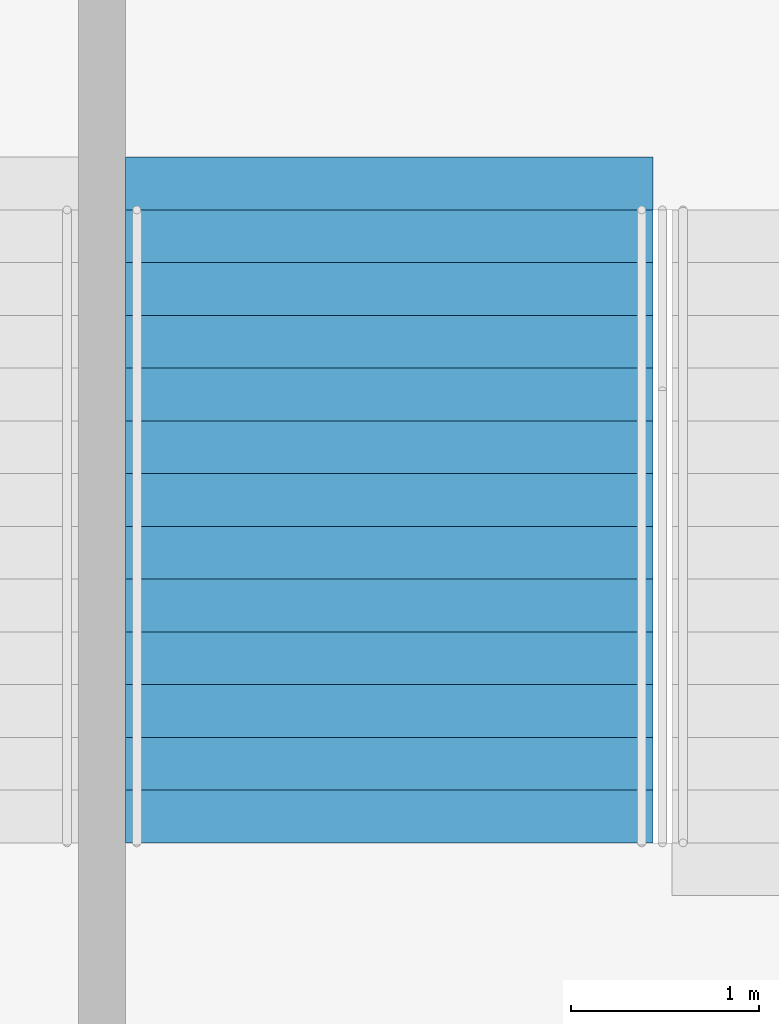
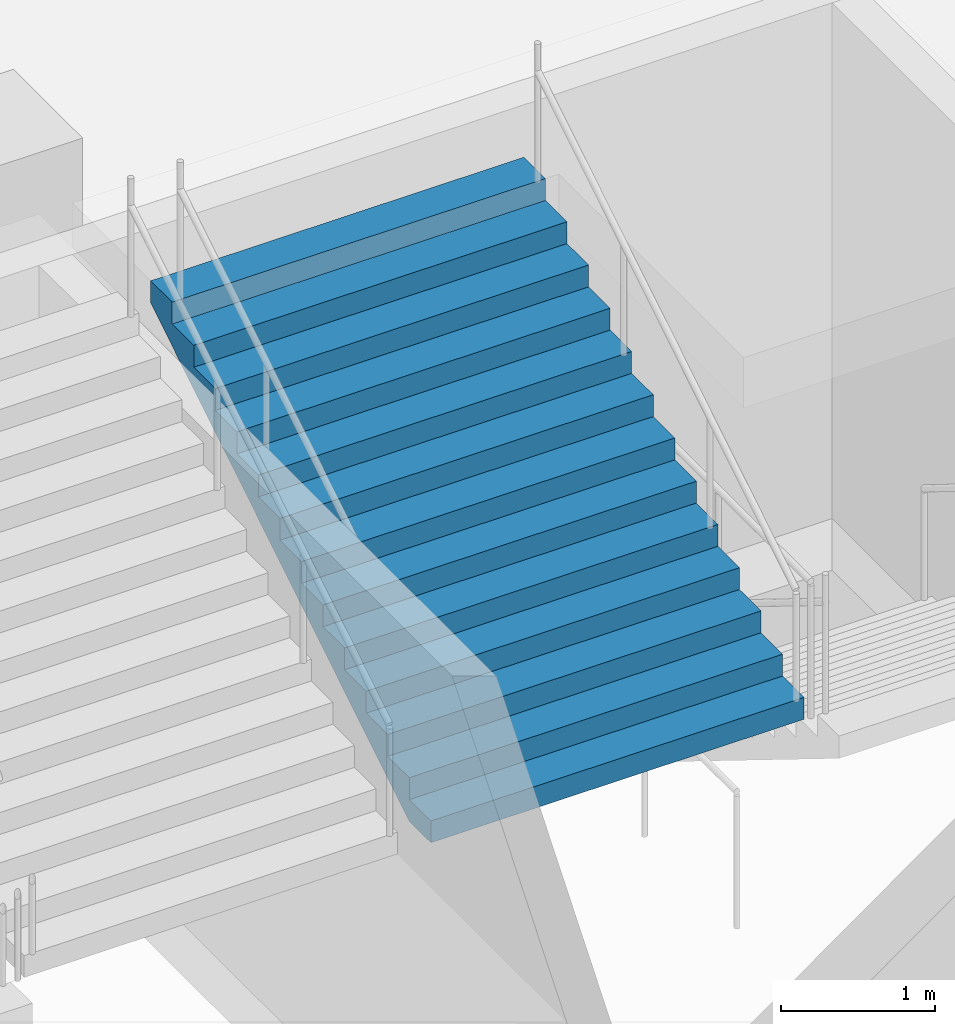
# One storey, part 118 of 199: 1 stair flight, 1 element without a shape of its own.
"""IFC4 building model written with IfcOpenShell, lengths in metres."""

from ifc_helpers import new_model, si_unit, direction, frame, origin, place, context, subcontext, project, spatial, faceted_brep, material, type_object, element, aggregate, save


model = new_model("IFC4")

# Units and contexts
model_context = context("Model", 3, precision=1e-05, world=origin(), true_north=direction((0.0, 1.0)))
body_context = subcontext(model_context, "Body", "Model", "MODEL_VIEW")
ifc_project = project(units=[si_unit("LENGTHUNIT", "METRE"), si_unit("AREAUNIT", "SQUARE_METRE"), si_unit("VOLUMEUNIT", "CUBIC_METRE"), si_unit("PLANEANGLEUNIT", "RADIAN"), si_unit("MASSUNIT", "GRAM", prefix="KILO")], contexts=[model_context])

# Site, building, storey
site_placement = place(None, origin())
site = spatial("IfcSite", under=ifc_project, at=site_placement, CompositionType="ELEMENT")
building_placement = place(site_placement, origin())
building = spatial("IfcBuilding", under=site, at=building_placement, Name="Ogive Plaza Stadium", CompositionType="ELEMENT")
storey_placement = place(building_placement, frame((0.0, 0.0, 4.5)))
storey = spatial("IfcBuildingStorey", under=building, at=storey_placement, Name="L01", CompositionType="ELEMENT", Elevation=4.5)

# Stair, stair flight
ifc_material_1 = material(Name="Concrete C40/50", Category="concrete")
stair_type = type_object("IfcStairType", Name="Exit stair", PredefinedType="STRAIGHT_RUN_STAIR", material=ifc_material_1)
stair_placement = place(storey_placement, origin())
stair = element("IfcStair", 1, at=stair_placement, inside=storey, type_object=stair_type, Name="Exit stair ST16B L01 to L02", PredefinedType="STRAIGHT_RUN_STAIR")
ifc_material_2 = material(Name="Concrete C40/50", Category="concrete")
stair_flight_type = type_object("IfcStairFlightType", Name="Exit stair flight", PredefinedType="STRAIGHT", material=ifc_material_2)
stair_flight_placement = place(storey_placement, frame((-18.875, -98.2099609375, 2.25), z_axis=(0.0, 0.0, 1.0), x_axis=(0.0, 1.0, 0.0)))
stair_flight = element("IfcStairFlight", 2, at=stair_flight_placement, type_object=stair_flight_type, Name="ST16B flight 2", NumberOfRisers=13, NumberOfTreads=12, PredefinedType="STRAIGHT", RiserHeight=0.173076923, TreadLength=0.28, context=body_context, shape_type="Brep", body=[
    faceted_brep([(0.28515625, -1.39990234375, 0.0), (3.639892578125, -1.39990234375, 2.07373046875), (3.639892578125, -1.39990234375, 2.25), (3.360107421875, -1.39990234375, 2.25), (3.360107421875, -1.39990234375, 2.076904296875), (3.080078125, -1.39990234375, 2.076904296875), (3.080078125, -1.39990234375, 1.90380859375), (2.800048828125, -1.39990234375, 1.90380859375), (2.800048828125, -1.39990234375, 1.730712890625), (2.52001953125, -1.39990234375, 1.730712890625), (2.52001953125, -1.39990234375, 1.5576171875), (2.239990234375, -1.39990234375, 1.5576171875), (2.239990234375, -1.39990234375, 1.384521484375), (1.9599609375, -1.39990234375, 1.384521484375), (1.9599609375, -1.39990234375, 1.21142578125), (1.679931640625, -1.39990234375, 1.21142578125), (1.679931640625, -1.39990234375, 1.03857421875), (1.39990234375, -1.39990234375, 1.03857421875), (1.39990234375, -1.39990234375, 0.865478515625), (1.1201171875, -1.39990234375, 0.865478515625), (1.1201171875, -1.39990234375, 0.6923828125), (0.840087890625, -1.39990234375, 0.6923828125), (0.840087890625, -1.39990234375, 0.519287109375), (0.56005859375, -1.39990234375, 0.519287109375), (0.56005859375, -1.39990234375, 0.34619140625), (0.280029296875, -1.39990234375, 0.34619140625), (0.280029296875, -1.39990234375, 0.173095703125), (0.0, -1.39990234375, 0.173095703125), (0.0, -1.39990234375, 0.0), (0.0, 1.39990234375, 0.0), (0.0, 1.39990234375, 0.173095703125), (0.280029296875, 1.39990234375, 0.173095703125), (0.280029296875, 1.39990234375, 0.34619140625), (0.56005859375, 1.39990234375, 0.34619140625), (0.56005859375, 1.39990234375, 0.519287109375), (0.840087890625, 1.39990234375, 0.519287109375), (0.840087890625, 1.39990234375, 0.6923828125), (1.1201171875, 1.39990234375, 0.6923828125), (1.1201171875, 1.39990234375, 0.865478515625), (1.39990234375, 1.39990234375, 0.865478515625), (1.39990234375, 1.39990234375, 1.03857421875), (1.679931640625, 1.39990234375, 1.03857421875), (1.679931640625, 1.39990234375, 1.21142578125), (1.9599609375, 1.39990234375, 1.21142578125), (1.9599609375, 1.39990234375, 1.384521484375), (2.239990234375, 1.39990234375, 1.384521484375), (2.239990234375, 1.39990234375, 1.5576171875), (2.52001953125, 1.39990234375, 1.5576171875), (2.52001953125, 1.39990234375, 1.730712890625), (2.800048828125, 1.39990234375, 1.730712890625), (2.800048828125, 1.39990234375, 1.90380859375), (3.080078125, 1.39990234375, 1.90380859375), (3.080078125, 1.39990234375, 2.076904296875), (3.360107421875, 1.39990234375, 2.076904296875), (3.360107421875, 1.39990234375, 2.25), (3.639892578125, 1.39990234375, 2.25), (3.639892578125, 1.39990234375, 2.07373046875), (0.28515625, 1.39990234375, 0.0), (0.28515625, -1.0888671875, 0.0), (3.639892578125, -1.0888671875, 2.07373046875), (0.28515625, -0.77783203125, 0.0), (3.639892578125, -0.77783203125, 2.07373046875), (0.28515625, -0.466796875, 0.0), (3.639892578125, -0.466796875, 2.07373046875), (0.28515625, -0.155517578125, 0.0), (3.639892578125, -0.155517578125, 2.07373046875), (0.28515625, 0.155517578125, 0.0), (3.639892578125, 0.155517578125, 2.07373046875), (0.28515625, 0.466796875, 0.0), (3.639892578125, 0.466796875, 2.07373046875), (0.28515625, 0.77783203125, 0.0), (3.639892578125, 0.77783203125, 2.07373046875), (0.28515625, 1.0888671875, 0.0), (3.639892578125, 1.0888671875, 2.07373046875), (3.639892578125, -1.0888671875, 2.25), (3.639892578125, -0.77783203125, 2.25), (3.639892578125, -0.466796875, 2.25), (3.639892578125, -0.155517578125, 2.25), (3.639892578125, 0.155517578125, 2.25), (3.639892578125, 0.466796875, 2.25), (3.639892578125, 0.77783203125, 2.25), (3.639892578125, 1.0888671875, 2.25), (3.360107421875, -1.0888671875, 2.25), (3.360107421875, -0.77783203125, 2.25), (3.360107421875, -0.466796875, 2.25), (3.360107421875, -0.155517578125, 2.25), (3.360107421875, 0.155517578125, 2.25), (3.360107421875, 0.466796875, 2.25), (3.360107421875, 0.77783203125, 2.25), (3.360107421875, 1.0888671875, 2.25), (3.360107421875, -1.0888671875, 2.076904296875), (3.360107421875, -0.77783203125, 2.076904296875), (3.360107421875, -0.466796875, 2.076904296875), (3.360107421875, -0.155517578125, 2.076904296875), (3.360107421875, 0.155517578125, 2.076904296875), (3.360107421875, 0.466796875, 2.076904296875), (3.360107421875, 0.77783203125, 2.076904296875), (3.360107421875, 1.0888671875, 2.076904296875), (3.080078125, -1.0888671875, 2.076904296875), (3.080078125, -0.77783203125, 2.076904296875), (3.080078125, -0.466796875, 2.076904296875), (3.080078125, -0.155517578125, 2.076904296875), (3.080078125, 0.155517578125, 2.076904296875), (3.080078125, 0.466796875, 2.076904296875), (3.080078125, 0.77783203125, 2.076904296875), (3.080078125, 1.0888671875, 2.076904296875), (3.080078125, -1.0888671875, 1.90380859375), (3.080078125, -0.77783203125, 1.90380859375), (3.080078125, -0.466796875, 1.90380859375), (3.080078125, -0.155517578125, 1.90380859375), (3.080078125, 0.155517578125, 1.90380859375), (3.080078125, 0.466796875, 1.90380859375), (3.080078125, 0.77783203125, 1.90380859375), (3.080078125, 1.0888671875, 1.90380859375), (2.800048828125, -1.0888671875, 1.90380859375), (2.800048828125, -0.77783203125, 1.90380859375), (2.800048828125, -0.466796875, 1.90380859375), (2.800048828125, -0.155517578125, 1.90380859375), (2.800048828125, 0.155517578125, 1.90380859375), (2.800048828125, 0.466796875, 1.90380859375), (2.800048828125, 0.77783203125, 1.90380859375), (2.800048828125, 1.0888671875, 1.90380859375), (2.800048828125, -1.0888671875, 1.730712890625), (2.800048828125, -0.77783203125, 1.730712890625), (2.800048828125, -0.466796875, 1.730712890625), (2.800048828125, -0.155517578125, 1.730712890625), (2.800048828125, 0.155517578125, 1.730712890625), (2.800048828125, 0.466796875, 1.730712890625), (2.800048828125, 0.77783203125, 1.730712890625), (2.800048828125, 1.0888671875, 1.730712890625), (2.52001953125, -1.0888671875, 1.730712890625), (2.52001953125, -0.77783203125, 1.730712890625), (2.52001953125, -0.466796875, 1.730712890625), (2.52001953125, -0.155517578125, 1.730712890625), (2.52001953125, 0.155517578125, 1.730712890625), (2.52001953125, 0.466796875, 1.730712890625), (2.52001953125, 0.77783203125, 1.730712890625), (2.52001953125, 1.0888671875, 1.730712890625), (2.52001953125, -1.0888671875, 1.5576171875), (2.52001953125, -0.77783203125, 1.5576171875), (2.52001953125, -0.466796875, 1.5576171875), (2.52001953125, -0.155517578125, 1.5576171875), (2.52001953125, 0.155517578125, 1.5576171875), (2.52001953125, 0.466796875, 1.5576171875), (2.52001953125, 0.77783203125, 1.5576171875), (2.52001953125, 1.0888671875, 1.5576171875), (2.239990234375, -1.0888671875, 1.5576171875), (2.239990234375, -0.77783203125, 1.5576171875), (2.239990234375, -0.466796875, 1.5576171875), (2.239990234375, -0.155517578125, 1.5576171875), (2.239990234375, 0.155517578125, 1.5576171875), (2.239990234375, 0.466796875, 1.5576171875), (2.239990234375, 0.77783203125, 1.5576171875), (2.239990234375, 1.0888671875, 1.5576171875), (2.239990234375, -1.0888671875, 1.384521484375), (2.239990234375, -0.77783203125, 1.384521484375), (2.239990234375, -0.466796875, 1.384521484375), (2.239990234375, -0.155517578125, 1.384521484375), (2.239990234375, 0.155517578125, 1.384521484375), (2.239990234375, 0.466796875, 1.384521484375), (2.239990234375, 0.77783203125, 1.384521484375), (2.239990234375, 1.0888671875, 1.384521484375), (1.9599609375, -1.0888671875, 1.384521484375), (1.9599609375, -0.77783203125, 1.384521484375), (1.9599609375, -0.466796875, 1.384521484375), (1.9599609375, -0.155517578125, 1.384521484375), (1.9599609375, 0.155517578125, 1.384521484375), (1.9599609375, 0.466796875, 1.384521484375), (1.9599609375, 0.77783203125, 1.384521484375), (1.9599609375, 1.0888671875, 1.384521484375), (1.9599609375, -1.0888671875, 1.21142578125), (1.9599609375, -0.77783203125, 1.21142578125), (1.9599609375, -0.466796875, 1.21142578125), (1.9599609375, -0.155517578125, 1.21142578125), (1.9599609375, 0.155517578125, 1.21142578125), (1.9599609375, 0.466796875, 1.21142578125), (1.9599609375, 0.77783203125, 1.21142578125), (1.9599609375, 1.0888671875, 1.21142578125), (1.679931640625, -1.0888671875, 1.21142578125), (1.679931640625, -0.77783203125, 1.21142578125), (1.679931640625, -0.466796875, 1.21142578125), (1.679931640625, -0.155517578125, 1.21142578125), (1.679931640625, 0.155517578125, 1.21142578125), (1.679931640625, 0.466796875, 1.21142578125), (1.679931640625, 0.77783203125, 1.21142578125), (1.679931640625, 1.0888671875, 1.21142578125), (1.679931640625, -1.0888671875, 1.03857421875), (1.679931640625, -0.77783203125, 1.03857421875), (1.679931640625, -0.466796875, 1.03857421875), (1.679931640625, -0.155517578125, 1.03857421875), (1.679931640625, 0.155517578125, 1.03857421875), (1.679931640625, 0.466796875, 1.03857421875), (1.679931640625, 0.77783203125, 1.03857421875), (1.679931640625, 1.0888671875, 1.03857421875), (1.39990234375, -1.0888671875, 1.03857421875), (1.39990234375, -0.77783203125, 1.03857421875), (1.39990234375, -0.466796875, 1.03857421875), (1.39990234375, -0.155517578125, 1.03857421875), (1.39990234375, 0.155517578125, 1.03857421875), (1.39990234375, 0.466796875, 1.03857421875), (1.39990234375, 0.77783203125, 1.03857421875), (1.39990234375, 1.0888671875, 1.03857421875), (1.39990234375, -1.0888671875, 0.865478515625), (1.39990234375, -0.77783203125, 0.865478515625), (1.39990234375, -0.466796875, 0.865478515625), (1.39990234375, -0.155517578125, 0.865478515625), (1.39990234375, 0.155517578125, 0.865478515625), (1.39990234375, 0.466796875, 0.865478515625), (1.39990234375, 0.77783203125, 0.865478515625), (1.39990234375, 1.0888671875, 0.865478515625), (1.1201171875, -1.0888671875, 0.865478515625), (1.1201171875, -0.77783203125, 0.865478515625), (1.1201171875, -0.466796875, 0.865478515625), (1.1201171875, -0.155517578125, 0.865478515625), (1.1201171875, 0.155517578125, 0.865478515625), (1.1201171875, 0.466796875, 0.865478515625), (1.1201171875, 0.77783203125, 0.865478515625), (1.1201171875, 1.0888671875, 0.865478515625), (1.1201171875, -1.0888671875, 0.6923828125), (1.1201171875, -0.77783203125, 0.6923828125), (1.1201171875, -0.466796875, 0.6923828125), (1.1201171875, -0.155517578125, 0.6923828125), (1.1201171875, 0.155517578125, 0.6923828125), (1.1201171875, 0.466796875, 0.6923828125), (1.1201171875, 0.77783203125, 0.6923828125), (1.1201171875, 1.0888671875, 0.6923828125), (0.840087890625, -1.0888671875, 0.6923828125), (0.840087890625, -0.77783203125, 0.6923828125), (0.840087890625, -0.466796875, 0.6923828125), (0.840087890625, -0.155517578125, 0.6923828125), (0.840087890625, 0.155517578125, 0.6923828125), (0.840087890625, 0.466796875, 0.6923828125), (0.840087890625, 0.77783203125, 0.6923828125), (0.840087890625, 1.0888671875, 0.6923828125), (0.840087890625, -1.0888671875, 0.519287109375), (0.840087890625, -0.77783203125, 0.519287109375), (0.840087890625, -0.466796875, 0.519287109375), (0.840087890625, -0.155517578125, 0.519287109375), (0.840087890625, 0.155517578125, 0.519287109375), (0.840087890625, 0.466796875, 0.519287109375), (0.840087890625, 0.77783203125, 0.519287109375), (0.840087890625, 1.0888671875, 0.519287109375), (0.56005859375, -1.0888671875, 0.519287109375), (0.56005859375, -0.77783203125, 0.519287109375), (0.56005859375, -0.466796875, 0.519287109375), (0.56005859375, -0.155517578125, 0.519287109375), (0.56005859375, 0.155517578125, 0.519287109375), (0.56005859375, 0.466796875, 0.519287109375), (0.56005859375, 0.77783203125, 0.519287109375), (0.56005859375, 1.0888671875, 0.519287109375), (0.56005859375, -1.0888671875, 0.34619140625), (0.56005859375, -0.77783203125, 0.34619140625), (0.56005859375, -0.466796875, 0.34619140625), (0.56005859375, -0.155517578125, 0.34619140625), (0.56005859375, 0.155517578125, 0.34619140625), (0.56005859375, 0.466796875, 0.34619140625), (0.56005859375, 0.77783203125, 0.34619140625), (0.56005859375, 1.0888671875, 0.34619140625), (0.280029296875, -1.0888671875, 0.34619140625), (0.280029296875, -0.77783203125, 0.34619140625), (0.280029296875, -0.466796875, 0.34619140625), (0.280029296875, -0.155517578125, 0.34619140625), (0.280029296875, 0.155517578125, 0.34619140625), (0.280029296875, 0.466796875, 0.34619140625), (0.280029296875, 0.77783203125, 0.34619140625), (0.280029296875, 1.0888671875, 0.34619140625), (0.280029296875, -1.0888671875, 0.173095703125), (0.280029296875, -0.77783203125, 0.173095703125), (0.280029296875, -0.466796875, 0.173095703125), (0.280029296875, -0.155517578125, 0.173095703125), (0.280029296875, 0.155517578125, 0.173095703125), (0.280029296875, 0.466796875, 0.173095703125), (0.280029296875, 0.77783203125, 0.173095703125), (0.280029296875, 1.0888671875, 0.173095703125), (0.0, -1.0888671875, 0.173095703125), (0.0, -0.77783203125, 0.173095703125), (0.0, -0.466796875, 0.173095703125), (0.0, -0.155517578125, 0.173095703125), (0.0, 0.155517578125, 0.173095703125), (0.0, 0.466796875, 0.173095703125), (0.0, 0.77783203125, 0.173095703125), (0.0, 1.0888671875, 0.173095703125), (0.0, -1.0888671875, 0.0), (0.0, -0.77783203125, 0.0), (0.0, -0.466796875, 0.0), (0.0, -0.155517578125, 0.0), (0.0, 0.155517578125, 0.0), (0.0, 0.466796875, 0.0), (0.0, 0.77783203125, 0.0), (0.0, 1.0888671875, 0.0)], [[[0, 1, 2, 3, 4, 5, 6, 7, 8, 9, 10, 11, 12, 13, 14, 15, 16, 17, 18, 19, 20, 21, 22, 23, 24, 25, 26, 27, 28]], [[29, 30, 31, 32, 33, 34, 35, 36, 37, 38, 39, 40, 41, 42, 43, 44, 45, 46, 47, 48, 49, 50, 51, 52, 53, 54, 55, 56, 57]], [[0, 58, 59, 1]], [[58, 60, 61, 59]], [[60, 62, 63, 61]], [[62, 64, 65, 63]], [[64, 66, 67, 65]], [[66, 68, 69, 67]], [[68, 70, 71, 69]], [[70, 72, 73, 71]], [[72, 57, 56, 73]], [[1, 59, 74, 2]], [[59, 61, 75, 74]], [[61, 63, 76, 75]], [[63, 65, 77, 76]], [[65, 67, 78, 77]], [[67, 69, 79, 78]], [[69, 71, 80, 79]], [[71, 73, 81, 80]], [[73, 56, 55, 81]], [[2, 74, 82, 3]], [[74, 75, 83, 82]], [[75, 76, 84, 83]], [[76, 77, 85, 84]], [[77, 78, 86, 85]], [[78, 79, 87, 86]], [[79, 80, 88, 87]], [[80, 81, 89, 88]], [[81, 55, 54, 89]], [[3, 82, 90, 4]], [[82, 83, 91, 90]], [[83, 84, 92, 91]], [[84, 85, 93, 92]], [[85, 86, 94, 93]], [[86, 87, 95, 94]], [[87, 88, 96, 95]], [[88, 89, 97, 96]], [[89, 54, 53, 97]], [[4, 90, 98, 5]], [[90, 91, 99, 98]], [[91, 92, 100, 99]], [[92, 93, 101, 100]], [[93, 94, 102, 101]], [[94, 95, 103, 102]], [[95, 96, 104, 103]], [[96, 97, 105, 104]], [[97, 53, 52, 105]], [[5, 98, 106, 6]], [[98, 99, 107, 106]], [[99, 100, 108, 107]], [[100, 101, 109, 108]], [[101, 102, 110, 109]], [[102, 103, 111, 110]], [[103, 104, 112, 111]], [[104, 105, 113, 112]], [[105, 52, 51, 113]], [[6, 106, 114, 7]], [[106, 107, 115, 114]], [[107, 108, 116, 115]], [[108, 109, 117, 116]], [[109, 110, 118, 117]], [[110, 111, 119, 118]], [[111, 112, 120, 119]], [[112, 113, 121, 120]], [[113, 51, 50, 121]], [[7, 114, 122, 8]], [[114, 115, 123, 122]], [[115, 116, 124, 123]], [[116, 117, 125, 124]], [[117, 118, 126, 125]], [[118, 119, 127, 126]], [[119, 120, 128, 127]], [[120, 121, 129, 128]], [[121, 50, 49, 129]], [[8, 122, 130, 9]], [[122, 123, 131, 130]], [[123, 124, 132, 131]], [[124, 125, 133, 132]], [[125, 126, 134, 133]], [[126, 127, 135, 134]], [[127, 128, 136, 135]], [[128, 129, 137, 136]], [[129, 49, 48, 137]], [[9, 130, 138, 10]], [[130, 131, 139, 138]], [[131, 132, 140, 139]], [[132, 133, 141, 140]], [[133, 134, 142, 141]], [[134, 135, 143, 142]], [[135, 136, 144, 143]], [[136, 137, 145, 144]], [[137, 48, 47, 145]], [[10, 138, 146, 11]], [[138, 139, 147, 146]], [[139, 140, 148, 147]], [[140, 141, 149, 148]], [[141, 142, 150, 149]], [[142, 143, 151, 150]], [[143, 144, 152, 151]], [[144, 145, 153, 152]], [[145, 47, 46, 153]], [[11, 146, 154, 12]], [[146, 147, 155, 154]], [[147, 148, 156, 155]], [[148, 149, 157, 156]], [[149, 150, 158, 157]], [[150, 151, 159, 158]], [[151, 152, 160, 159]], [[152, 153, 161, 160]], [[153, 46, 45, 161]], [[12, 154, 162, 13]], [[154, 155, 163, 162]], [[155, 156, 164, 163]], [[156, 157, 165, 164]], [[157, 158, 166, 165]], [[158, 159, 167, 166]], [[159, 160, 168, 167]], [[160, 161, 169, 168]], [[161, 45, 44, 169]], [[13, 162, 170, 14]], [[162, 163, 171, 170]], [[163, 164, 172, 171]], [[164, 165, 173, 172]], [[165, 166, 174, 173]], [[166, 167, 175, 174]], [[167, 168, 176, 175]], [[168, 169, 177, 176]], [[169, 44, 43, 177]], [[14, 170, 178, 15]], [[170, 171, 179, 178]], [[171, 172, 180, 179]], [[172, 173, 181, 180]], [[173, 174, 182, 181]], [[174, 175, 183, 182]], [[175, 176, 184, 183]], [[176, 177, 185, 184]], [[177, 43, 42, 185]], [[15, 178, 186, 16]], [[178, 179, 187, 186]], [[179, 180, 188, 187]], [[180, 181, 189, 188]], [[181, 182, 190, 189]], [[182, 183, 191, 190]], [[183, 184, 192, 191]], [[184, 185, 193, 192]], [[185, 42, 41, 193]], [[16, 186, 194, 17]], [[186, 187, 195, 194]], [[187, 188, 196, 195]], [[188, 189, 197, 196]], [[189, 190, 198, 197]], [[190, 191, 199, 198]], [[191, 192, 200, 199]], [[192, 193, 201, 200]], [[193, 41, 40, 201]], [[17, 194, 202, 18]], [[194, 195, 203, 202]], [[195, 196, 204, 203]], [[196, 197, 205, 204]], [[197, 198, 206, 205]], [[198, 199, 207, 206]], [[199, 200, 208, 207]], [[200, 201, 209, 208]], [[201, 40, 39, 209]], [[18, 202, 210, 19]], [[202, 203, 211, 210]], [[203, 204, 212, 211]], [[204, 205, 213, 212]], [[205, 206, 214, 213]], [[206, 207, 215, 214]], [[207, 208, 216, 215]], [[208, 209, 217, 216]], [[209, 39, 38, 217]], [[19, 210, 218, 20]], [[210, 211, 219, 218]], [[211, 212, 220, 219]], [[212, 213, 221, 220]], [[213, 214, 222, 221]], [[214, 215, 223, 222]], [[215, 216, 224, 223]], [[216, 217, 225, 224]], [[217, 38, 37, 225]], [[20, 218, 226, 21]], [[218, 219, 227, 226]], [[219, 220, 228, 227]], [[220, 221, 229, 228]], [[221, 222, 230, 229]], [[222, 223, 231, 230]], [[223, 224, 232, 231]], [[224, 225, 233, 232]], [[225, 37, 36, 233]], [[21, 226, 234, 22]], [[226, 227, 235, 234]], [[227, 228, 236, 235]], [[228, 229, 237, 236]], [[229, 230, 238, 237]], [[230, 231, 239, 238]], [[231, 232, 240, 239]], [[232, 233, 241, 240]], [[233, 36, 35, 241]], [[22, 234, 242, 23]], [[234, 235, 243, 242]], [[235, 236, 244, 243]], [[236, 237, 245, 244]], [[237, 238, 246, 245]], [[238, 239, 247, 246]], [[239, 240, 248, 247]], [[240, 241, 249, 248]], [[241, 35, 34, 249]], [[23, 242, 250, 24]], [[242, 243, 251, 250]], [[243, 244, 252, 251]], [[244, 245, 253, 252]], [[245, 246, 254, 253]], [[246, 247, 255, 254]], [[247, 248, 256, 255]], [[248, 249, 257, 256]], [[249, 34, 33, 257]], [[24, 250, 258, 25]], [[250, 251, 259, 258]], [[251, 252, 260, 259]], [[252, 253, 261, 260]], [[253, 254, 262, 261]], [[254, 255, 263, 262]], [[255, 256, 264, 263]], [[256, 257, 265, 264]], [[257, 33, 32, 265]], [[25, 258, 266, 26]], [[258, 259, 267, 266]], [[259, 260, 268, 267]], [[260, 261, 269, 268]], [[261, 262, 270, 269]], [[262, 263, 271, 270]], [[263, 264, 272, 271]], [[264, 265, 273, 272]], [[265, 32, 31, 273]], [[26, 266, 274, 27]], [[266, 267, 275, 274]], [[267, 268, 276, 275]], [[268, 269, 277, 276]], [[269, 270, 278, 277]], [[270, 271, 279, 278]], [[271, 272, 280, 279]], [[272, 273, 281, 280]], [[273, 31, 30, 281]], [[27, 274, 282, 28]], [[274, 275, 283, 282]], [[275, 276, 284, 283]], [[276, 277, 285, 284]], [[277, 278, 286, 285]], [[278, 279, 287, 286]], [[279, 280, 288, 287]], [[280, 281, 289, 288]], [[281, 30, 29, 289]], [[28, 282, 58, 0]], [[282, 283, 60, 58]], [[283, 284, 62, 60]], [[284, 285, 64, 62]], [[285, 286, 66, 64]], [[286, 287, 68, 66]], [[287, 288, 70, 68]], [[288, 289, 72, 70]], [[289, 29, 57, 72]]]),
])
aggregate(stair, [stair_flight])

save(model, "model.ifc")
